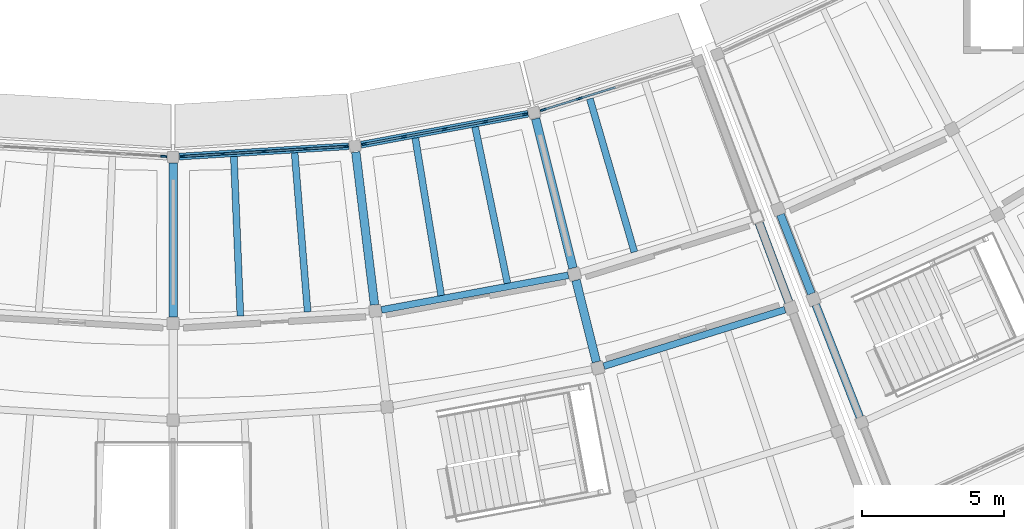
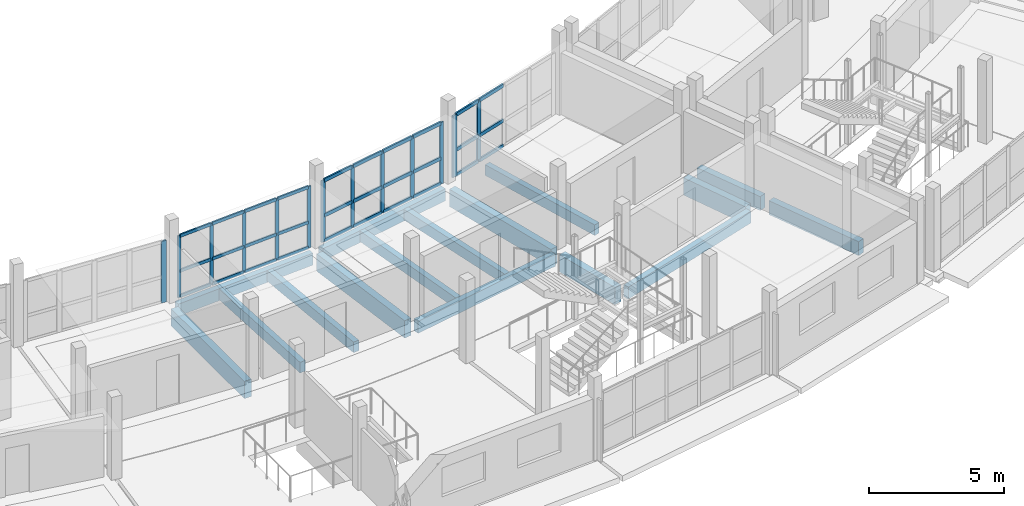
# One storey, part 29 of 77: 43 members, 16 beams, 4 elements without a shape of their own.
"""IFC4 building model written with IfcOpenShell, lengths in metres."""

from ifc_helpers import new_model, si_unit, direction, frame, origin, origin_2d, place, context, subcontext, project, spatial, rectangle, extrude, material, layer, layer_set, material_profile, profile_set, type_object, element, aggregate, save


model = new_model("IFC4")

# Units and contexts
model_context = context("Model", 3, precision=1e-05, world=origin(), true_north=direction((0.0, 1.0)))
body_context = subcontext(model_context, "Body", "Model", "MODEL_VIEW")
ifc_project = project(units=[si_unit("LENGTHUNIT", "METRE"), si_unit("AREAUNIT", "SQUARE_METRE"), si_unit("VOLUMEUNIT", "CUBIC_METRE"), si_unit("PLANEANGLEUNIT", "RADIAN"), si_unit("MASSUNIT", "GRAM", prefix="KILO")], contexts=[model_context])

# Site, building, storey
site_placement = place(None, origin())
site = spatial("IfcSite", under=ifc_project, at=site_placement, CompositionType="ELEMENT")
building_placement = place(site_placement, origin())
building = spatial("IfcBuilding", under=site, at=building_placement, Name="Caldaven Crescent School", CompositionType="ELEMENT")
storey_placement = place(building_placement, frame((0.0, 0.0, 4.419921875)))
storey = spatial("IfcBuildingStorey", under=building, at=storey_placement, Name="L01", CompositionType="ELEMENT", Elevation=4.419921875)

# Beams
ifc_material_1 = material(Name="Glulam MLE24h (GL28h)", Category="wood")
ifc_material_profile_1 = material_profile(ifc_material_1, rectangle(XDim=0.239990234375, YDim=0.5400390625, at=origin_2d()), Name="MLE 240x540")
ifc_profile_set_1 = profile_set([ifc_material_profile_1], Name="Glulam MLE24h (GL28h)")
beam_type_1 = type_object("IfcBeamType", Name="BM-GL54", PredefinedType="BEAM", material=ifc_profile_set_1)
beam_1_placement = place(storey_placement, frame((95.3212890625, 38.174560546875, -0.489990234375), z_axis=(0.983254114628, 0.182239803741, 0.0), x_axis=(-0.182239803741, 0.983254114628, 0.0)))
element("IfcBeam", 1, at=beam_1_placement, inside=storey, type_object=beam_type_1, Name="BMT-V5-L01-1056", PredefinedType="BEAM", context=body_context, shape_type="SweptSolid", body=[
    extrude(rectangle(XDim=0.239990234375, YDim=0.5400390625, at=origin_2d()), origin(), (0.0, 0.0, 1.0), 6.67822265625),
])
beam_2_placement = place(storey_placement, frame((103.13671875, 36.1982421875, -0.489990234375), z_axis=(0.954743408583, 0.297430704142, 0.0), x_axis=(-0.297430704142, 0.954743408583, 0.0)))
element("IfcBeam", 2, at=beam_2_placement, inside=storey, type_object=beam_type_1, Name="BMT-V5-L01-1063", PredefinedType="BEAM", context=body_context, shape_type="SweptSolid", body=[
    extrude(rectangle(XDim=0.239990234375, YDim=0.5400390625, at=origin_2d()), origin(), (0.0, 0.0, 1.0), 6.669189453125),
])
ifc_material_profile_2 = material_profile(ifc_material_1, rectangle(XDim=0.280029296875, YDim=0.6298828125, at=origin_2d()), Name="MLE 280x630")
ifc_profile_set_2 = profile_set([ifc_material_profile_2], Name="Glulam MLE24h (GL28h)")
beam_type_2 = type_object("IfcBeamType", Name="BM-GL63", PredefinedType="BEAM", material=ifc_profile_set_2)
beam_3_placement = place(storey_placement, frame((109.341796875, 41.526611328125, -0.534912109375), z_axis=(0.364821090582, -0.931077640085, 0.0), x_axis=(0.931077640085, 0.364821090582, 0.0)))
element("IfcBeam", 3, at=beam_3_placement, inside=storey, type_object=beam_type_2, Name="BMR-V4E-L01-1071", PredefinedType="BEAM", context=body_context, shape_type="SweptSolid", body=[
    extrude(rectangle(XDim=0.280029296875, YDim=0.6298828125, at=origin_2d()), origin(), (0.0, 0.0, 1.0), 2.989990234375),
])
beam_4_placement = place(storey_placement, frame((110.582275390625, 38.36083984375, -0.534912109375), z_axis=(0.364779262234, -0.931094028465, 0.0), x_axis=(0.931094028465, 0.364779262234, 0.0)))
element("IfcBeam", 4, at=beam_4_placement, inside=storey, type_object=beam_type_2, Name="BMR-V4E-L01-1072", PredefinedType="BEAM", context=body_context, shape_type="SweptSolid", body=[
    extrude(rectangle(XDim=0.280029296875, YDim=0.6298828125, at=origin_2d()), origin(), (0.0, 0.0, 1.0), 4.239990234375),
])
ifc_material_profile_3 = material_profile(ifc_material_1, rectangle(XDim=0.300048828125, YDim=0.780029296875, at=origin_2d()), Name="MLE 300x780")
ifc_profile_set_3 = profile_set([ifc_material_profile_3], Name="Glulam MLE24h (GL28h)")
beam_type_3 = type_object("IfcBeamType", Name="BM-GL78", PredefinedType="BEAM", material=ifc_profile_set_3)
beam_5_placement = place(storey_placement, frame((88.0, 43.330078125, -0.60986328125), z_axis=(0.0, -1.0, 0.0), x_axis=(1.0, 0.0, 0.0)))
element("IfcBeam", 5, at=beam_5_placement, inside=storey, type_object=beam_type_3, Name="BMR-V5-L01-1008", PredefinedType="BEAM", context=body_context, shape_type="SweptSolid", body=[
    extrude(rectangle(XDim=0.300048828125, YDim=0.780029296875, at=origin_2d()), origin(), (0.0, 0.0, 1.0), 5.41015625),
])
for number, where, z_axis, x_axis, name in (
    (6, (94.4189453125, 43.72265625, -0.60986328125), (0.121846063759, -0.992549009745, 0.0), (0.992549009745, 0.121846063759, 0.0), "BMR-V5-L01-1012"),
    (7, (100.741943359375, 44.89453125, -0.60986328125), (0.241930333906, -0.970293622331, 0.0), (0.970293622331, 0.241930333906, 0.0), "BMR-V5-L01-1016"),
):
    element("IfcBeam", number, at=place(storey_placement, frame(where, z_axis=z_axis, x_axis=x_axis)), inside=storey, type_object=beam_type_3, Name=name, PredefinedType="BEAM", context=body_context, shape_type="SweptSolid", body=[
        extrude(rectangle(XDim=0.300048828125, YDim=0.780029296875, at=origin_2d()), origin(), (0.0, 0.0, 1.0), 5.409912109375),
    ])
beam_6_placement = place(storey_placement, frame((102.1572265625, 39.21826171875, -0.60986328125), z_axis=(0.241914547644, -0.970297558298, 0.0), x_axis=(0.970297558298, 0.241914547644, 0.0)))
element("IfcBeam", 8, at=beam_6_placement, inside=storey, type_object=beam_type_3, Name="BMR-V5-L01-1017", PredefinedType="BEAM", context=body_context, shape_type="SweptSolid", body=[
    extrude(rectangle(XDim=0.300048828125, YDim=0.780029296875, at=origin_2d()), origin(), (0.0, 0.0, 1.0), 2.9599609375),
])
beam_7_placement = place(storey_placement, frame((108.594970703125, 41.223876953125, -0.60986328125), z_axis=(0.351927741513, -0.936027170948, 0.0), x_axis=(0.936027170948, 0.351927741513, 0.0)))
element("IfcBeam", 9, at=beam_7_placement, inside=storey, type_object=beam_type_3, Name="BMR-V5-L01-1021", PredefinedType="BEAM", context=body_context, shape_type="SweptSolid", body=[
    extrude(rectangle(XDim=0.300048828125, YDim=0.780029296875, at=origin_2d()), origin(), (0.0, 0.0, 1.0), 2.960205078125),
])

# Curtain wall, members
ifc_material_2 = material(Name="Anodised aluminium AA 6063-T6 and low-E double glazing", Category="aluminium")
ifc_layer_1 = layer(ifc_material_2, 0.18994140625)
ifc_layer_set_1 = layer_set([ifc_layer_1], Name="Anodised aluminium AA 6063-T6 and low-E double glazing")
curtain_wall_type_1 = type_object("IfcCurtainWallType", Name="CW-SYS2", PredefinedType="NOTDEFINED", material=ifc_layer_set_1)
curtain_wall_1_placement = place(storey_placement, origin())
curtain_wall_1 = element("IfcCurtainWall", 10, at=curtain_wall_1_placement, inside=storey, type_object=curtain_wall_type_1, Name="CW-L01-126", PredefinedType="NOTDEFINED")
ifc_material_3 = material(Name="Anodised aluminium AA 6063-T6", Category="aluminium")
ifc_material_profile_4 = material_profile(ifc_material_3, rectangle(XDim=0.06005859375, YDim=0.14990234375, at=origin_2d()), Name="CWM 60x150")
ifc_profile_set_4 = profile_set([ifc_material_profile_4], Name="Anodised aluminium AA 6063-T6")
member_type_1 = type_object("IfcMemberType", Name="CWM-T1", PredefinedType="MULLION", material=ifc_profile_set_4)
member_1_placement = place(storey_placement, frame((88.329345703125, 43.570068359375, 0.0), z_axis=(0.0, 0.0, 1.0), x_axis=(-0.061049319496, 0.998134750717, 0.0)))
member_1 = element("IfcMember", 11, at=member_1_placement, type_object=member_type_1, Name="CW2 mullion 1", PredefinedType="MULLION", context=body_context, shape_type="SweptSolid", body=[
    extrude(rectangle(XDim=0.06005859375, YDim=0.14990234375, at=origin_2d()), origin(), (0.0, 0.0, 1.0), 2.780029296875),
])
member_2_placement = place(storey_placement, frame((89.747802734375, 43.656982421875, 0.0), z_axis=(0.0, 0.0, 1.0), x_axis=(-0.061049319496, 0.998134750717, 0.0)))
member_2 = element("IfcMember", 12, at=member_2_placement, type_object=member_type_1, Name="CW2 mullion 2", PredefinedType="MULLION", context=body_context, shape_type="SweptSolid", body=[
    extrude(rectangle(XDim=0.06005859375, YDim=0.14990234375, at=origin_2d()), origin(), (0.0, 0.0, 1.0), 2.780029296875),
])
member_3_placement = place(storey_placement, frame((91.196044921875, 43.745361328125, 0.0), z_axis=(0.0, 0.0, 1.0), x_axis=(-0.061049319496, 0.998134750717, 0.0)))
member_3 = element("IfcMember", 13, at=member_3_placement, type_object=member_type_1, Name="CW2 mullion 3", PredefinedType="MULLION", context=body_context, shape_type="SweptSolid", body=[
    extrude(rectangle(XDim=0.06005859375, YDim=0.14990234375, at=origin_2d()), origin(), (0.0, 0.0, 1.0), 2.780029296875),
])
member_4_placement = place(storey_placement, frame((92.644287109375, 43.833984375, 0.0), z_axis=(0.0, 0.0, 1.0), x_axis=(-0.061049319496, 0.998134750717, 0.0)))
member_4 = element("IfcMember", 14, at=member_4_placement, type_object=member_type_1, Name="CW2 mullion 4", PredefinedType="MULLION", context=body_context, shape_type="SweptSolid", body=[
    extrude(rectangle(XDim=0.06005859375, YDim=0.14990234375, at=origin_2d()), origin(), (0.0, 0.0, 1.0), 2.780029296875),
])
member_5_placement = place(storey_placement, frame((94.062744140625, 43.9208984375, 0.0), z_axis=(0.0, 0.0, 1.0), x_axis=(-0.061049319496, 0.998134750717, 0.0)))
member_5 = element("IfcMember", 15, at=member_5_placement, type_object=member_type_1, Name="CW2 mullion 5", PredefinedType="MULLION", context=body_context, shape_type="SweptSolid", body=[
    extrude(rectangle(XDim=0.06005859375, YDim=0.14990234375, at=origin_2d()), origin(), (0.0, 0.0, 1.0), 2.780029296875),
])

ifc_layer_2 = layer(ifc_material_2, 0.2099609375)
ifc_layer_set_2 = layer_set([ifc_layer_2], Name="Anodised aluminium AA 6063-T6 and low-E double glazing")
curtain_wall_type_2 = type_object("IfcCurtainWallType", Name="CW-SYS3", PredefinedType="NOTDEFINED", material=ifc_layer_set_2)
curtain_wall_2_placement = place(storey_placement, origin())
curtain_wall_2 = element("IfcCurtainWall", 16, at=curtain_wall_2_placement, inside=storey, type_object=curtain_wall_type_2, Name="CW-L01-127", PredefinedType="NOTDEFINED")
ifc_material_profile_5 = material_profile(ifc_material_3, rectangle(XDim=0.06494140625, YDim=0.179931640625, at=origin_2d()), Name="CWM 65x180")
ifc_profile_set_5 = profile_set([ifc_material_profile_5], Name="Anodised aluminium AA 6063-T6")
member_type_2 = type_object("IfcMemberType", Name="CWM-T2", PredefinedType="MULLION", material=ifc_profile_set_5)
member_6_placement = place(storey_placement, frame((94.718994140625, 44.00146484375, 0.0), z_axis=(0.0, 0.0, 1.0), x_axis=(-0.182236405836, 0.983254744401, 0.0)))
member_6 = element("IfcMember", 17, at=member_6_placement, type_object=member_type_2, Name="CW3 mullion 1", PredefinedType="MULLION", context=body_context, shape_type="SweptSolid", body=[
    extrude(rectangle(XDim=0.06494140625, YDim=0.179931640625, at=origin_2d()), origin(), (0.0, 0.0, 1.0), 2.780029296875),
])
member_7_placement = place(storey_placement, frame((96.11376953125, 44.260009765625, 0.0), z_axis=(0.0, 0.0, 1.0), x_axis=(-0.182236405836, 0.983254744401, 0.0)))
member_7 = element("IfcMember", 18, at=member_7_placement, type_object=member_type_2, Name="CW3 mullion 2", PredefinedType="MULLION", context=body_context, shape_type="SweptSolid", body=[
    extrude(rectangle(XDim=0.06494140625, YDim=0.179931640625, at=origin_2d()), origin(), (0.0, 0.0, 1.0), 2.780029296875),
])
member_8_placement = place(storey_placement, frame((97.54052734375, 44.5244140625, 0.0), z_axis=(0.0, 0.0, 1.0), x_axis=(-0.182236405836, 0.983254744401, 0.0)))
member_8 = element("IfcMember", 19, at=member_8_placement, type_object=member_type_2, Name="CW3 mullion 3", PredefinedType="MULLION", context=body_context, shape_type="SweptSolid", body=[
    extrude(rectangle(XDim=0.06494140625, YDim=0.179931640625, at=origin_2d()), origin(), (0.0, 0.0, 1.0), 2.780029296875),
])
member_9_placement = place(storey_placement, frame((98.967041015625, 44.788818359375, 0.0), z_axis=(0.0, 0.0, 1.0), x_axis=(-0.182236405836, 0.983254744401, 0.0)))
member_9 = element("IfcMember", 20, at=member_9_placement, type_object=member_type_2, Name="CW3 mullion 4", PredefinedType="MULLION", context=body_context, shape_type="SweptSolid", body=[
    extrude(rectangle(XDim=0.06494140625, YDim=0.179931640625, at=origin_2d()), origin(), (0.0, 0.0, 1.0), 2.780029296875),
])
member_10_placement = place(storey_placement, frame((100.36181640625, 45.04736328125, 0.0), z_axis=(0.0, 0.0, 1.0), x_axis=(-0.182236405836, 0.983254744401, 0.0)))
member_10 = element("IfcMember", 21, at=member_10_placement, type_object=member_type_2, Name="CW3 mullion 5", PredefinedType="MULLION", context=body_context, shape_type="SweptSolid", body=[
    extrude(rectangle(XDim=0.06494140625, YDim=0.179931640625, at=origin_2d()), origin(), (0.0, 0.0, 1.0), 2.780029296875),
])

# Curtain wall, member
ifc_layer_3 = layer(ifc_material_2, 0.169921875)
ifc_layer_set_3 = layer_set([ifc_layer_3], Name="Anodised aluminium AA 6063-T6 and low-E double glazing")
curtain_wall_type_3 = type_object("IfcCurtainWallType", Name="CW-SYS1", PredefinedType="NOTDEFINED", material=ifc_layer_set_3)
curtain_wall_3_placement = place(storey_placement, origin())
curtain_wall_3 = element("IfcCurtainWall", 22, at=curtain_wall_3_placement, inside=storey, type_object=curtain_wall_type_3, Name="CW-L01-124", PredefinedType="NOTDEFINED")
ifc_material_profile_6 = material_profile(ifc_material_3, rectangle(XDim=0.070068359375, YDim=0.2099609375, at=origin_2d()), Name="CWM 70x210")
ifc_profile_set_6 = profile_set([ifc_material_profile_6], Name="Anodised aluminium AA 6063-T6")
member_type_3 = type_object("IfcMemberType", Name="CWM-T3", PredefinedType="MULLION", material=ifc_profile_set_6)
member_11_placement = place(storey_placement, frame((87.66552734375, 43.570556640625, 0.0), z_axis=(0.0, 0.0, 1.0), x_axis=(0.061049319496, 0.998134750717, 0.0)))
member_11 = element("IfcMember", 23, at=member_11_placement, type_object=member_type_3, Name="CW1 mullion 5", PredefinedType="MULLION", context=body_context, shape_type="SweptSolid", body=[
    extrude(rectangle(XDim=0.070068359375, YDim=0.2099609375, at=origin_2d()), origin(), (0.0, 0.0, 1.0), 2.780029296875),
])
aggregate(curtain_wall_3, [member_11])

# Curtain wall, members
ifc_layer_4 = layer(ifc_material_2, 0.22998046875)
ifc_layer_set_4 = layer_set([ifc_layer_4], Name="Anodised aluminium AA 6063-T6 and low-E double glazing")
curtain_wall_type_4 = type_object("IfcCurtainWallType", Name="CW-SYS4", PredefinedType="NOTDEFINED", material=ifc_layer_set_4)
curtain_wall_4_placement = place(storey_placement, origin())
curtain_wall_4 = element("IfcCurtainWall", 24, at=curtain_wall_4_placement, inside=storey, type_object=curtain_wall_type_4, Name="CW-L01-129", PredefinedType="NOTDEFINED")
member_12_placement = place(storey_placement, frame((101.008544921875, 45.20751953125, 0.0), z_axis=(0.0, 0.0, 1.0), x_axis=(-0.297419758694, 0.954746818344, 0.0)))
member_12 = element("IfcMember", 25, at=member_12_placement, type_object=member_type_3, Name="CW4 mullion 1", PredefinedType="MULLION", context=body_context, shape_type="SweptSolid", body=[
    extrude(rectangle(XDim=0.070068359375, YDim=0.2099609375, at=origin_2d()), origin(), (0.0, 0.0, 1.0), 2.780029296875),
])
member_13_placement = place(storey_placement, frame((102.2744140625, 45.60205078125, 0.0), z_axis=(0.0, 0.0, 1.0), x_axis=(-0.297419758694, 0.954746818344, 0.0)))
member_13 = element("IfcMember", 26, at=member_13_placement, type_object=member_type_3, Name="CW4 mullion 2", PredefinedType="MULLION", context=body_context, shape_type="SweptSolid", body=[
    extrude(rectangle(XDim=0.070068359375, YDim=0.2099609375, at=origin_2d()), origin(), (0.0, 0.0, 1.0), 2.780029296875),
])

# Member
ifc_material_profile_7 = material_profile(ifc_material_3, rectangle(XDim=0.06494140625, YDim=0.139892578125, at=origin_2d()), Name="CWT 65x140")
ifc_profile_set_7 = profile_set([ifc_material_profile_7], Name="Anodised aluminium AA 6063-T6")
member_type_4 = type_object("IfcMemberType", Name="CWT-T2", PredefinedType="USERDEFINED", material=ifc_profile_set_7)
member_14_placement = place(storey_placement, frame((88.359375, 43.572021484375, 0.032470703125), z_axis=(0.998138172654, 0.06099334628, 0.0), x_axis=(-0.06099334628, 0.998138172654, 0.0)))
member_14 = element("IfcMember", 27, at=member_14_placement, type_object=member_type_4, Name="CW2 transom 1.1", ObjectType="TRANSOM", PredefinedType="USERDEFINED", context=body_context, shape_type="SweptSolid", body=[
    extrude(rectangle(XDim=0.06494140625, YDim=0.139892578125, at=origin_2d()), origin(), (0.0, 0.0, 1.0), 1.36083984375),
])

member_15_placement = place(storey_placement, frame((88.359375, 43.572021484375, 1.16796875), z_axis=(0.998138172654, 0.06099334628, 0.0), x_axis=(-0.06099334628, 0.998138172654, 0.0)))
member_15 = element("IfcMember", 28, at=member_15_placement, type_object=member_type_4, Name="CW2 transom 1.2", ObjectType="TRANSOM", PredefinedType="USERDEFINED", context=body_context, shape_type="SweptSolid", body=[
    extrude(rectangle(XDim=0.06494140625, YDim=0.139892578125, at=origin_2d()), origin(), (0.0, 0.0, 1.0), 1.36083984375),
])

member_16_placement = place(storey_placement, frame((88.359375, 43.572021484375, 2.74755859375), z_axis=(0.998138172654, 0.06099334628, 0.0), x_axis=(-0.06099334628, 0.998138172654, 0.0)))
member_16 = element("IfcMember", 29, at=member_16_placement, type_object=member_type_4, Name="CW2 transom 1.3", ObjectType="TRANSOM", PredefinedType="USERDEFINED", context=body_context, shape_type="SweptSolid", body=[
    extrude(rectangle(XDim=0.06494140625, YDim=0.139892578125, at=origin_2d()), origin(), (0.0, 0.0, 1.0), 1.36083984375),
])

member_17_placement = place(storey_placement, frame((89.777587890625, 43.65869140625, 0.032470703125), z_axis=(0.998132999358, 0.061077946857, 0.0), x_axis=(-0.061077946857, 0.998132999358, 0.0)))
member_17 = element("IfcMember", 30, at=member_17_placement, type_object=member_type_4, Name="CW2 transom 2.1", ObjectType="TRANSOM", PredefinedType="USERDEFINED", context=body_context, shape_type="SweptSolid", body=[
    extrude(rectangle(XDim=0.06494140625, YDim=0.139892578125, at=origin_2d()), origin(), (0.0, 0.0, 1.0), 1.39111328125),
])

member_18_placement = place(storey_placement, frame((89.777587890625, 43.65869140625, 1.16796875), z_axis=(0.998132999358, 0.061077946857, 0.0), x_axis=(-0.061077946857, 0.998132999358, 0.0)))
member_18 = element("IfcMember", 31, at=member_18_placement, type_object=member_type_4, Name="CW2 transom 2.2", ObjectType="TRANSOM", PredefinedType="USERDEFINED", context=body_context, shape_type="SweptSolid", body=[
    extrude(rectangle(XDim=0.06494140625, YDim=0.139892578125, at=origin_2d()), origin(), (0.0, 0.0, 1.0), 1.39111328125),
])

member_19_placement = place(storey_placement, frame((89.777587890625, 43.65869140625, 2.74755859375), z_axis=(0.998132999358, 0.061077946857, 0.0), x_axis=(-0.061077946857, 0.998132999358, 0.0)))
member_19 = element("IfcMember", 32, at=member_19_placement, type_object=member_type_4, Name="CW2 transom 2.3", ObjectType="TRANSOM", PredefinedType="USERDEFINED", context=body_context, shape_type="SweptSolid", body=[
    extrude(rectangle(XDim=0.06494140625, YDim=0.139892578125, at=origin_2d()), origin(), (0.0, 0.0, 1.0), 1.39111328125),
])

member_20_placement = place(storey_placement, frame((91.22607421875, 43.747314453125, 0.032470703125), z_axis=(0.998132344438, 0.061088648587, 0.0), x_axis=(-0.061088648587, 0.998132344438, 0.0)))
member_20 = element("IfcMember", 33, at=member_20_placement, type_object=member_type_4, Name="CW2 transom 3.1", ObjectType="TRANSOM", PredefinedType="USERDEFINED", context=body_context, shape_type="SweptSolid", body=[
    extrude(rectangle(XDim=0.06494140625, YDim=0.139892578125, at=origin_2d()), origin(), (0.0, 0.0, 1.0), 1.390869140625),
])

member_21_placement = place(storey_placement, frame((91.22607421875, 43.747314453125, 1.16796875), z_axis=(0.998132344438, 0.061088648587, 0.0), x_axis=(-0.061088648587, 0.998132344438, 0.0)))
member_21 = element("IfcMember", 34, at=member_21_placement, type_object=member_type_4, Name="CW2 transom 3.2", ObjectType="TRANSOM", PredefinedType="USERDEFINED", context=body_context, shape_type="SweptSolid", body=[
    extrude(rectangle(XDim=0.06494140625, YDim=0.139892578125, at=origin_2d()), origin(), (0.0, 0.0, 1.0), 1.390869140625),
])

member_22_placement = place(storey_placement, frame((91.22607421875, 43.747314453125, 2.74755859375), z_axis=(0.998132344438, 0.061088648587, 0.0), x_axis=(-0.061088648587, 0.998132344438, 0.0)))
member_22 = element("IfcMember", 35, at=member_22_placement, type_object=member_type_4, Name="CW2 transom 3.3", ObjectType="TRANSOM", PredefinedType="USERDEFINED", context=body_context, shape_type="SweptSolid", body=[
    extrude(rectangle(XDim=0.06494140625, YDim=0.139892578125, at=origin_2d()), origin(), (0.0, 0.0, 1.0), 1.390869140625),
])

member_23_placement = place(storey_placement, frame((92.67431640625, 43.8359375, 0.032470703125), z_axis=(0.998138172654, 0.06099334628, 0.0), x_axis=(-0.06099334628, 0.998138172654, 0.0)))
member_23 = element("IfcMember", 36, at=member_23_placement, type_object=member_type_4, Name="CW2 transom 4.1", ObjectType="TRANSOM", PredefinedType="USERDEFINED", context=body_context, shape_type="SweptSolid", body=[
    extrude(rectangle(XDim=0.06494140625, YDim=0.139892578125, at=origin_2d()), origin(), (0.0, 0.0, 1.0), 1.36083984375),
])

member_24_placement = place(storey_placement, frame((92.67431640625, 43.8359375, 1.16796875), z_axis=(0.998138172654, 0.06099334628, 0.0), x_axis=(-0.06099334628, 0.998138172654, 0.0)))
member_24 = element("IfcMember", 37, at=member_24_placement, type_object=member_type_4, Name="CW2 transom 4.2", ObjectType="TRANSOM", PredefinedType="USERDEFINED", context=body_context, shape_type="SweptSolid", body=[
    extrude(rectangle(XDim=0.06494140625, YDim=0.139892578125, at=origin_2d()), origin(), (0.0, 0.0, 1.0), 1.36083984375),
])

member_25_placement = place(storey_placement, frame((92.67431640625, 43.8359375, 2.74755859375), z_axis=(0.998138172654, 0.06099334628, 0.0), x_axis=(-0.06099334628, 0.998138172654, 0.0)))
member_25 = element("IfcMember", 38, at=member_25_placement, type_object=member_type_4, Name="CW2 transom 4.3", ObjectType="TRANSOM", PredefinedType="USERDEFINED", context=body_context, shape_type="SweptSolid", body=[
    extrude(rectangle(XDim=0.06494140625, YDim=0.139892578125, at=origin_2d()), origin(), (0.0, 0.0, 1.0), 1.36083984375),
])

aggregate(curtain_wall_1, [member_1, member_2, member_3, member_4, member_5, member_14, member_15, member_16, member_17, member_18, member_19, member_20, member_21, member_22, member_23, member_24, member_25])

ifc_material_profile_8 = material_profile(ifc_material_3, rectangle(XDim=0.070068359375, YDim=0.159912109375, at=origin_2d()), Name="CWT 70x160")
ifc_profile_set_8 = profile_set([ifc_material_profile_8], Name="Anodised aluminium AA 6063-T6")
member_type_5 = type_object("IfcMemberType", Name="CWT-T3", PredefinedType="USERDEFINED", material=ifc_profile_set_8)
member_26_placement = place(storey_placement, frame((94.7509765625, 44.007568359375, 0.03515625), z_axis=(0.983264057672, 0.182186149009, 0.0), x_axis=(-0.182186149009, 0.983264057672, 0.0)))
member_26 = element("IfcMember", 39, at=member_26_placement, type_object=member_type_5, Name="CW3 transom 1.1", ObjectType="TRANSOM", PredefinedType="USERDEFINED", context=body_context, shape_type="SweptSolid", body=[
    extrude(rectangle(XDim=0.070068359375, YDim=0.159912109375, at=origin_2d()), origin(), (0.0, 0.0, 1.0), 1.353515625),
])

member_27_placement = place(storey_placement, frame((94.7509765625, 44.007568359375, 1.16796875), z_axis=(0.983264057672, 0.182186149009, 0.0), x_axis=(-0.182186149009, 0.983264057672, 0.0)))
member_27 = element("IfcMember", 40, at=member_27_placement, type_object=member_type_5, Name="CW3 transom 1.2", ObjectType="TRANSOM", PredefinedType="USERDEFINED", context=body_context, shape_type="SweptSolid", body=[
    extrude(rectangle(XDim=0.070068359375, YDim=0.159912109375, at=origin_2d()), origin(), (0.0, 0.0, 1.0), 1.353515625),
])

member_28_placement = place(storey_placement, frame((94.7509765625, 44.007568359375, 2.7451171875), z_axis=(0.983264057672, 0.182186149009, 0.0), x_axis=(-0.182186149009, 0.983264057672, 0.0)))
member_28 = element("IfcMember", 41, at=member_28_placement, type_object=member_type_5, Name="CW3 transom 1.3", ObjectType="TRANSOM", PredefinedType="USERDEFINED", context=body_context, shape_type="SweptSolid", body=[
    extrude(rectangle(XDim=0.070068359375, YDim=0.159912109375, at=origin_2d()), origin(), (0.0, 0.0, 1.0), 1.353515625),
])

member_29_placement = place(storey_placement, frame((96.145751953125, 44.265869140625, 0.03515625), z_axis=(0.983241097753, 0.182310020812, 0.0), x_axis=(-0.182310020812, 0.983241097753, 0.0)))
member_29 = element("IfcMember", 42, at=member_29_placement, type_object=member_type_5, Name="CW3 transom 2.1", ObjectType="TRANSOM", PredefinedType="USERDEFINED", context=body_context, shape_type="SweptSolid", body=[
    extrude(rectangle(XDim=0.070068359375, YDim=0.159912109375, at=origin_2d()), origin(), (0.0, 0.0, 1.0), 1.385986328125),
])

member_30_placement = place(storey_placement, frame((96.145751953125, 44.265869140625, 1.16796875), z_axis=(0.983241097753, 0.182310020812, 0.0), x_axis=(-0.182310020812, 0.983241097753, 0.0)))
member_30 = element("IfcMember", 43, at=member_30_placement, type_object=member_type_5, Name="CW3 transom 2.2", ObjectType="TRANSOM", PredefinedType="USERDEFINED", context=body_context, shape_type="SweptSolid", body=[
    extrude(rectangle(XDim=0.070068359375, YDim=0.159912109375, at=origin_2d()), origin(), (0.0, 0.0, 1.0), 1.385986328125),
])

member_31_placement = place(storey_placement, frame((96.145751953125, 44.265869140625, 2.7451171875), z_axis=(0.983241097753, 0.182310020812, 0.0), x_axis=(-0.182310020812, 0.983241097753, 0.0)))
member_31 = element("IfcMember", 44, at=member_31_placement, type_object=member_type_5, Name="CW3 transom 2.3", ObjectType="TRANSOM", PredefinedType="USERDEFINED", context=body_context, shape_type="SweptSolid", body=[
    extrude(rectangle(XDim=0.070068359375, YDim=0.159912109375, at=origin_2d()), origin(), (0.0, 0.0, 1.0), 1.385986328125),
])

member_32_placement = place(storey_placement, frame((97.572265625, 44.5302734375, 0.03515625), z_axis=(0.983241097753, 0.182310020812, 0.0), x_axis=(-0.182310020812, 0.983241097753, 0.0)))
member_32 = element("IfcMember", 45, at=member_32_placement, type_object=member_type_5, Name="CW3 transom 3.1", ObjectType="TRANSOM", PredefinedType="USERDEFINED", context=body_context, shape_type="SweptSolid", body=[
    extrude(rectangle(XDim=0.070068359375, YDim=0.159912109375, at=origin_2d()), origin(), (0.0, 0.0, 1.0), 1.385986328125),
])

member_33_placement = place(storey_placement, frame((97.572265625, 44.5302734375, 1.16796875), z_axis=(0.983241097753, 0.182310020812, 0.0), x_axis=(-0.182310020812, 0.983241097753, 0.0)))
member_33 = element("IfcMember", 46, at=member_33_placement, type_object=member_type_5, Name="CW3 transom 3.2", ObjectType="TRANSOM", PredefinedType="USERDEFINED", context=body_context, shape_type="SweptSolid", body=[
    extrude(rectangle(XDim=0.070068359375, YDim=0.159912109375, at=origin_2d()), origin(), (0.0, 0.0, 1.0), 1.385986328125),
])

member_34_placement = place(storey_placement, frame((97.572265625, 44.5302734375, 2.7451171875), z_axis=(0.983241097753, 0.182310020812, 0.0), x_axis=(-0.182310020812, 0.983241097753, 0.0)))
member_34 = element("IfcMember", 47, at=member_34_placement, type_object=member_type_5, Name="CW3 transom 3.3", ObjectType="TRANSOM", PredefinedType="USERDEFINED", context=body_context, shape_type="SweptSolid", body=[
    extrude(rectangle(XDim=0.070068359375, YDim=0.159912109375, at=origin_2d()), origin(), (0.0, 0.0, 1.0), 1.385986328125),
])

member_35_placement = place(storey_placement, frame((98.9990234375, 44.794921875, 0.03515625), z_axis=(0.983264057672, 0.182186149009, 0.0), x_axis=(-0.182186149009, 0.983264057672, 0.0)))
member_35 = element("IfcMember", 48, at=member_35_placement, type_object=member_type_5, Name="CW3 transom 4.1", ObjectType="TRANSOM", PredefinedType="USERDEFINED", context=body_context, shape_type="SweptSolid", body=[
    extrude(rectangle(XDim=0.070068359375, YDim=0.159912109375, at=origin_2d()), origin(), (0.0, 0.0, 1.0), 1.353515625),
])

member_36_placement = place(storey_placement, frame((98.9990234375, 44.794921875, 1.16796875), z_axis=(0.983264057672, 0.182186149009, 0.0), x_axis=(-0.182186149009, 0.983264057672, 0.0)))
member_36 = element("IfcMember", 49, at=member_36_placement, type_object=member_type_5, Name="CW3 transom 4.2", ObjectType="TRANSOM", PredefinedType="USERDEFINED", context=body_context, shape_type="SweptSolid", body=[
    extrude(rectangle(XDim=0.070068359375, YDim=0.159912109375, at=origin_2d()), origin(), (0.0, 0.0, 1.0), 1.353515625),
])

member_37_placement = place(storey_placement, frame((98.9990234375, 44.794921875, 2.7451171875), z_axis=(0.983264057672, 0.182186149009, 0.0), x_axis=(-0.182186149009, 0.983264057672, 0.0)))
member_37 = element("IfcMember", 50, at=member_37_placement, type_object=member_type_5, Name="CW3 transom 4.3", ObjectType="TRANSOM", PredefinedType="USERDEFINED", context=body_context, shape_type="SweptSolid", body=[
    extrude(rectangle(XDim=0.070068359375, YDim=0.159912109375, at=origin_2d()), origin(), (0.0, 0.0, 1.0), 1.353515625),
])

aggregate(curtain_wall_2, [member_6, member_7, member_8, member_9, member_10, member_26, member_27, member_28, member_29, member_30, member_31, member_32, member_33, member_34, member_35, member_36, member_37])

member_38_placement = place(storey_placement, frame((101.0419921875, 45.218017578125, 0.03515625), z_axis=(0.954756253786, 0.297389468301, 0.0), x_axis=(-0.297389468301, 0.954756253786, 0.0)))
member_38 = element("IfcMember", 51, at=member_38_placement, type_object=member_type_5, Name="CW4 transom 1.1", ObjectType="TRANSOM", PredefinedType="USERDEFINED", context=body_context, shape_type="SweptSolid", body=[
    extrude(rectangle(XDim=0.070068359375, YDim=0.159912109375, at=origin_2d()), origin(), (0.0, 0.0, 1.0), 1.256103515625),
])

member_39_placement = place(storey_placement, frame((101.0419921875, 45.218017578125, 1.16796875), z_axis=(0.954756253786, 0.297389468301, 0.0), x_axis=(-0.297389468301, 0.954756253786, 0.0)))
member_39 = element("IfcMember", 52, at=member_39_placement, type_object=member_type_5, Name="CW4 transom 1.2", ObjectType="TRANSOM", PredefinedType="USERDEFINED", context=body_context, shape_type="SweptSolid", body=[
    extrude(rectangle(XDim=0.070068359375, YDim=0.159912109375, at=origin_2d()), origin(), (0.0, 0.0, 1.0), 1.256103515625),
])

member_40_placement = place(storey_placement, frame((101.0419921875, 45.218017578125, 2.7451171875), z_axis=(0.954756253786, 0.297389468301, 0.0), x_axis=(-0.297389468301, 0.954756253786, 0.0)))
member_40 = element("IfcMember", 53, at=member_40_placement, type_object=member_type_5, Name="CW4 transom 1.3", ObjectType="TRANSOM", PredefinedType="USERDEFINED", context=body_context, shape_type="SweptSolid", body=[
    extrude(rectangle(XDim=0.070068359375, YDim=0.159912109375, at=origin_2d()), origin(), (0.0, 0.0, 1.0), 1.256103515625),
])

member_41_placement = place(storey_placement, frame((102.307861328125, 45.6123046875, 0.03515625), z_axis=(0.954721963294, 0.297499534125, 0.0), x_axis=(-0.297499534125, 0.954721963294, 0.0)))
member_41 = element("IfcMember", 54, at=member_41_placement, type_object=member_type_5, Name="CW4 transom 2.1", ObjectType="TRANSOM", PredefinedType="USERDEFINED", context=body_context, shape_type="SweptSolid", body=[
    extrude(rectangle(XDim=0.070068359375, YDim=0.159912109375, at=origin_2d()), origin(), (0.0, 0.0, 1.0), 1.290771484375),
])

member_42_placement = place(storey_placement, frame((102.307861328125, 45.6123046875, 1.16796875), z_axis=(0.954721963294, 0.297499534125, 0.0), x_axis=(-0.297499534125, 0.954721963294, 0.0)))
member_42 = element("IfcMember", 55, at=member_42_placement, type_object=member_type_5, Name="CW4 transom 2.2", ObjectType="TRANSOM", PredefinedType="USERDEFINED", context=body_context, shape_type="SweptSolid", body=[
    extrude(rectangle(XDim=0.070068359375, YDim=0.159912109375, at=origin_2d()), origin(), (0.0, 0.0, 1.0), 1.290771484375),
])

member_43_placement = place(storey_placement, frame((102.307861328125, 45.6123046875, 2.7451171875), z_axis=(0.954721963294, 0.297499534125, 0.0), x_axis=(-0.297499534125, 0.954721963294, 0.0)))
member_43 = element("IfcMember", 56, at=member_43_placement, type_object=member_type_5, Name="CW4 transom 2.3", ObjectType="TRANSOM", PredefinedType="USERDEFINED", context=body_context, shape_type="SweptSolid", body=[
    extrude(rectangle(XDim=0.070068359375, YDim=0.159912109375, at=origin_2d()), origin(), (0.0, 0.0, 1.0), 1.290771484375),
])

aggregate(curtain_wall_4, [member_12, member_13, member_38, member_39, member_40, member_41, member_42, member_43])

# Beams
ifc_material_profile_9 = material_profile(ifc_material_1, rectangle(XDim=0.239990234375, YDim=0.47998046875, at=origin_2d()), Name="MLE 240x480")
ifc_profile_set_9 = profile_set([ifc_material_profile_9], Name="Glulam MLE24h (GL28h)")
beam_type_4 = type_object("IfcBeamType", Name="JS-GL48", PredefinedType="JOIST", material=ifc_profile_set_9)
for number, where, z_axis, x_axis, name in (
    (57, (90.13525390625, 43.5654296875, -0.4599609375), (0.040730946432, -0.999170150676, 0.0), (0.999170150676, 0.040730946432, 0.0), "JSR-V5-L01-1051"),
    (58, (92.270751953125, 43.696044921875, -0.4599609375), (0.081374360202, -0.996683607521, 0.0), (0.996683607521, 0.081374360202, 0.0), "JSR-V5-L01-1053"),
    (59, (96.509521484375, 44.216552734375, -0.4599609375), (0.162182803006, -0.98676073007, 0.0), (0.98676073007, 0.162182803006, 0.0), "JSR-V5-L01-1059"),
    (60, (98.613037109375, 44.6064453125, -0.4599609375), (0.202263118958, -0.979331216039, 0.0), (0.979331216039, 0.202263118958, 0.0), "JSR-V5-L01-1060"),
):
    element("IfcBeam", number, at=place(storey_placement, frame(where, z_axis=z_axis, x_axis=x_axis)), inside=storey, type_object=beam_type_4, Name=name, PredefinedType="JOIST", context=body_context, shape_type="SweptSolid", body=[
        extrude(rectangle(XDim=0.239990234375, YDim=0.47998046875, at=origin_2d()), origin(), (0.0, 0.0, 1.0), 5.6103515625),
    ])
beam_8_placement = place(storey_placement, frame((102.644287109375, 45.5966796875, -0.4599609375), z_axis=(0.278982349026, -0.960296229781, 0.0), x_axis=(0.960296229781, 0.278982349026, 0.0)))
element("IfcBeam", 61, at=beam_8_placement, inside=storey, type_object=beam_type_4, Name="JSR-V5-L01-1066", PredefinedType="JOIST", context=body_context, shape_type="SweptSolid", body=[
    extrude(rectangle(XDim=0.239990234375, YDim=0.47998046875, at=origin_2d()), origin(), (0.0, 0.0, 1.0), 5.611328125),
])
ifc_material_profile_10 = material_profile(ifc_material_1, rectangle(XDim=0.239990234375, YDim=0.5400390625, at=origin_2d()), Name="MLE 240x540")
ifc_profile_set_10 = profile_set([ifc_material_profile_10], Name="Glulam MLE24h (GL28h)")
beam_type_5 = type_object("IfcBeamType", Name="SP-GL54", PredefinedType="SPANDREL", material=ifc_profile_set_10)
beam_9_placement = place(storey_placement, frame((88.219482421875, 43.5634765625, -0.489990234375), z_axis=(0.998135616914, 0.061035155839, 0.0), x_axis=(-0.061035155839, 0.998135616914, 0.0)))
element("IfcBeam", 62, at=beam_9_placement, inside=storey, type_object=beam_type_5, Name="BMT-V5-L01-1046", PredefinedType="SPANDREL", context=body_context, shape_type="SweptSolid", body=[
    extrude(rectangle(XDim=0.239990234375, YDim=0.5400390625, at=origin_2d()), origin(), (0.0, 0.0, 1.0), 5.964111328125),
])
beam_10_placement = place(storey_placement, frame((94.6083984375, 43.98095703125, -0.489990234375), z_axis=(0.983252402664, 0.182249040204, 0.0), x_axis=(-0.182249040204, 0.983252402664, 0.0)))
element("IfcBeam", 63, at=beam_10_placement, inside=storey, type_object=beam_type_5, Name="BMT-V5-L01-1055", PredefinedType="SPANDREL", context=body_context, shape_type="SweptSolid", body=[
    extrude(rectangle(XDim=0.239990234375, YDim=0.5400390625, at=origin_2d()), origin(), (0.0, 0.0, 1.0), 5.9638671875),
])

save(model, "model.ifc")
